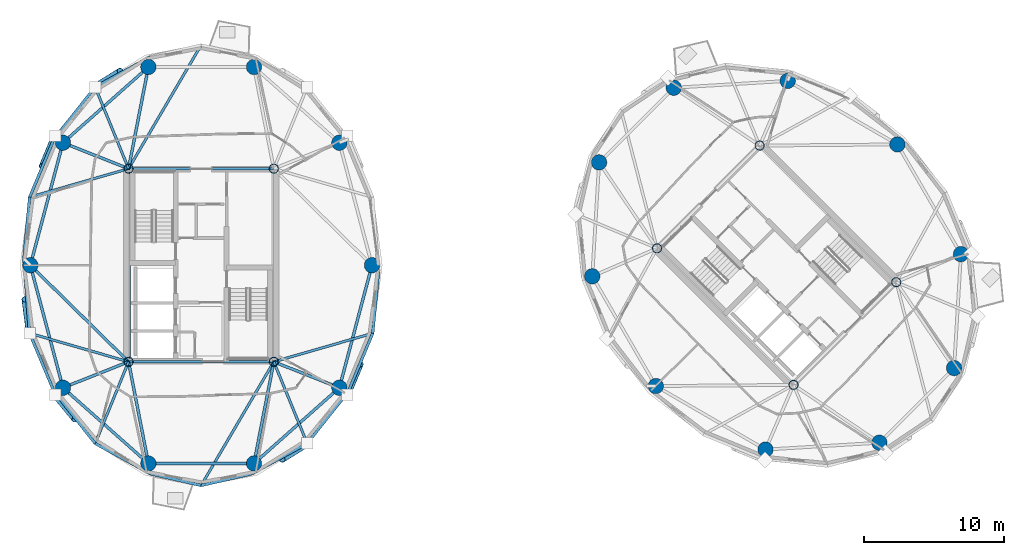
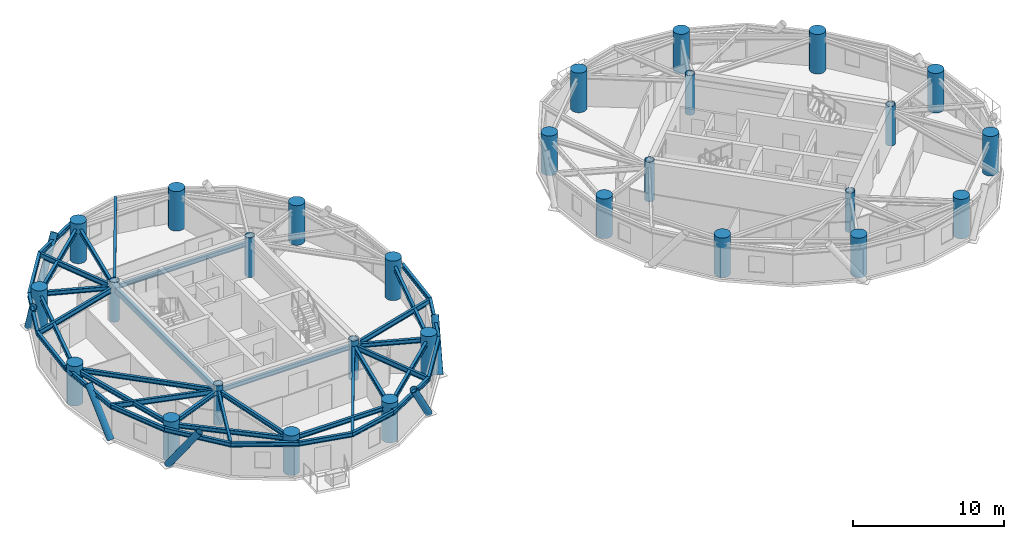
# One storey, part 1 of 15: 39 beams, 28 columns, 6 members.
"""IFC4 building model written with IfcOpenShell, lengths in metres."""

import ifcopenshell
import ifcopenshell.guid

model = None  # the IFC model being written
_history = None  # IfcOwnerHistory: only IFC2X3 demands one
_inside = {}  # id of a spatial element -> (the spatial element, [elements in it])
_under = {}  # id of a project, library or spatial element -> (it, [spatial elements below it])
_declared = {}  # id of a project -> (the project, [libraries it declares])
_typed = {}  # id of a type object -> (the type object, [elements of that type])
_made_of = {}  # id of a material, layer set ... -> (it, [elements and type objects made of it])


def new_model(schema):
    """Start an empty IFC model of exactly this schema.

    Asked for "IFC4X3", IfcOpenShell would pick the latest addendum, in which some entities
    have other attributes; the version numbers below select the first issue.
    IFC2X3 requires an IfcOwnerHistory on every rooted entity: one is made here for all.
    """
    global model, _history
    if schema == "IFC4X3":
        model = ifcopenshell.file(schema_version=(4, 3, 0, 0))
    else:
        model = ifcopenshell.file(schema=schema)
    _inside.clear()
    _under.clear()
    _declared.clear()
    _typed.clear()
    _made_of.clear()
    _history = None
    if model.schema == "IFC2X3":
        org = make("IfcOrganization", Name="unknown")
        user = make(
            "IfcPersonAndOrganization",
            ThePerson=make("IfcPerson", FamilyName="unknown"),
            TheOrganization=org,
        )
        app = make(
            "IfcApplication",
            ApplicationDeveloper=org,
            Version="unknown",
            ApplicationFullName="unknown",
            ApplicationIdentifier="unknown",
        )
        _history = make(
            "IfcOwnerHistory",
            OwningUser=user,
            OwningApplication=app,
            ChangeAction="ADDED",
            CreationDate=0,
        )
    return model


def make(cls, **values):
    """One entity of the class cls with the attributes given. An attribute that is None is left unset."""
    return model.create_entity(
        cls, **{name: value for name, value in values.items() if value is not None}
    )


def rooted(cls, **values):
    """An entity with a GlobalId (a new one), such as an element, a storey or a relation."""
    return make(cls, GlobalId=ifcopenshell.guid.new(), OwnerHistory=_history, **values)


def si_unit(unit_type, name, prefix=None):
    """IfcSIUnit, for example si_unit("LENGTHUNIT", "METRE", prefix="MILLI")."""
    return make("IfcSIUnit", UnitType=unit_type, Prefix=prefix, Name=name)


def assignment(units):
    """IfcUnitAssignment: the units of a project."""
    return None if units is None else make("IfcUnitAssignment", Units=units)


def point(xyz):
    """IfcCartesianPoint."""
    return None if xyz is None else make("IfcCartesianPoint", Coordinates=xyz)


def direction(xyz):
    """IfcDirection."""
    return None if xyz is None else make("IfcDirection", DirectionRatios=xyz)


def frame(location, z_axis=None, x_axis=None):
    """IfcAxis2Placement3D, a coordinate frame: its origin and axes. An axis left out is left unset."""
    return make(
        "IfcAxis2Placement3D",
        Location=point(location),
        Axis=direction(z_axis),
        RefDirection=direction(x_axis),
    )


def frame_2d(location, x_axis=None):
    """IfcAxis2Placement2D, a coordinate frame in the plane: its origin and x axis."""
    return make(
        "IfcAxis2Placement2D", Location=point(location), RefDirection=direction(x_axis)
    )


def origin():
    """The frame at (0, 0, 0) with its axes left unset."""
    return frame((0.0, 0.0, 0.0))


def origin_2d():
    """The frame at (0, 0) in the plane with its x axis left unset."""
    return frame_2d((0.0, 0.0))


def place(relative_to, where):
    """IfcLocalPlacement: puts the frame where relative to a parent placement (None: the world)."""
    return make(
        "IfcLocalPlacement", PlacementRelTo=relative_to, RelativePlacement=where
    )


def context(
    kind, dimensions, precision=None, world=None, true_north=None, identifier=None
):
    """IfcGeometricRepresentationContext, for example the 3D "Model" context."""
    return make(
        "IfcGeometricRepresentationContext",
        ContextIdentifier=identifier,
        ContextType=kind,
        CoordinateSpaceDimension=dimensions,
        Precision=precision,
        WorldCoordinateSystem=world,
        TrueNorth=true_north,
    )


def subcontext(parent, identifier, kind, view, scale=None):
    """IfcGeometricRepresentationSubContext, for example "Body" below "Model"."""
    return make(
        "IfcGeometricRepresentationSubContext",
        ContextIdentifier=identifier,
        ContextType=kind,
        ParentContext=parent,
        TargetScale=scale,
        TargetView=view,
    )


def project(units=None, contexts=None):
    """IfcProject with its units and contexts."""
    return rooted(
        "IfcProject",
        Name="project",
        RepresentationContexts=contexts,
        UnitsInContext=assignment(units),
    )


def spatial(cls, under=None, at=None, **own):
    """A site, building, storey or space (cls), placed at a placement, below another one or the project."""
    s = rooted(cls, ObjectPlacement=at, **own)
    if under is not None:
        _under.setdefault(under.id(), (under, []))[1].append(s)
    return s


def profile(cls, at=None, kind="AREA", **sizes):
    """A parametric profile (cls). Its sizes go by their IFC names, for example OverallWidth=200.0."""
    return make(cls, ProfileType=kind, Position=at, **sizes)


def hollow_rectangle(**sizes):
    """IfcRectangleHollowProfileDef."""
    return profile("IfcRectangleHollowProfileDef", **sizes)


def circle(**sizes):
    """IfcCircleProfileDef."""
    return profile("IfcCircleProfileDef", **sizes)


def hollow_circle(**sizes):
    """IfcCircleHollowProfileDef."""
    return profile("IfcCircleHollowProfileDef", **sizes)


def i_section(**sizes):
    """IfcIShapeProfileDef."""
    return profile("IfcIShapeProfileDef", **sizes)


def extrude(swept, where, along, depth):
    """IfcExtrudedAreaSolid: the profile swept, set in the frame where, extruded along a direction by depth."""
    return make(
        "IfcExtrudedAreaSolid",
        SweptArea=swept,
        Position=where,
        ExtrudedDirection=direction(along),
        Depth=depth,
    )


def shape(context_of_items, identifier, shape_type, items):
    """IfcShapeRepresentation: the items that make up one representation, for example the "Body"."""
    return make(
        "IfcShapeRepresentation",
        ContextOfItems=context_of_items,
        RepresentationIdentifier=identifier,
        RepresentationType=shape_type,
        Items=items,
    )


def material(Name=None, Category=None):
    """IfcMaterial."""
    return make("IfcMaterial", Name=Name, Category=Category)


def material_profile(
    of_material, cross_section, Name=None, Category=None, Priority=None
):
    """IfcMaterialProfile: a cross section and its material."""
    return make(
        "IfcMaterialProfile",
        Name=Name,
        Material=of_material,
        Profile=cross_section,
        Priority=Priority,
        Category=Category,
    )


def profile_set(profiles, Name=None, composite=None):
    """IfcMaterialProfileSet."""
    return make(
        "IfcMaterialProfileSet",
        Name=Name,
        MaterialProfiles=profiles,
        CompositeProfile=composite,
    )


def made_of(thing, what):
    """Note that an element or type object is made of a material, layer set ...; save() writes the relation."""
    if what is not None:
        _made_of.setdefault(what.id(), (what, []))[1].append(thing)
    return thing


def type_object(cls, material=None, **own):
    """A type object (cls), such as IfcWallType, which elements share."""
    return made_of(rooted(cls, **own), material)


def element(
    cls,
    number,
    at=None,
    inside=None,
    cuts=None,
    type_object=None,
    material=None,
    context=None,
    identifier="Body",
    shape_type=None,
    held_by="IfcProductDefinitionShape",
    body=None,
    shapes=None,
    **own,
):
    """One element of the class cls, such as IfcWall. Its Tag is "e" and its number.

    at: its placement. inside: the storey or other place that contains it. cuts: it is an
    opening in that element (IfcRelVoidsElement). A single representation is given by context,
    identifier, shape_type and body (its items); several are given by shapes. held_by: the class
    of the entity that holds the representations. save() writes the other relations.
    """
    e = rooted(cls, Tag="e%d" % number, ObjectPlacement=at, **own)
    if body is not None:
        shapes = [shape(context, identifier, shape_type, body)]
    if shapes is not None:
        e.Representation = make(held_by, Representations=shapes)
    if inside is not None:
        _inside.setdefault(inside.id(), (inside, []))[1].append(e)
    if cuts is not None:
        rooted(
            "IfcRelVoidsElement", RelatingBuildingElement=cuts, RelatedOpeningElement=e
        )
    if type_object is not None:
        _typed.setdefault(type_object.id(), (type_object, []))[1].append(e)
    return made_of(e, material)


def aggregate(whole, parts):
    """IfcRelAggregates: a whole, such as a stair, and the parts it consists of."""
    return rooted("IfcRelAggregates", RelatingObject=whole, RelatedObjects=parts)


def save(model, path):
    """Write the relations noted so far, then the file.

    IfcRelAggregates (storeys below a building ...), IfcRelContainedInSpatialStructure (elements
    in a storey), IfcRelDefinesByType, IfcRelAssociatesMaterial and IfcRelDeclares: one each for
    every whole, place, type object, material and project.
    """
    for whole, parts in _under.values():
        aggregate(whole, parts)
    for where, things in _inside.values():
        rooted(
            "IfcRelContainedInSpatialStructure",
            RelatedElements=things,
            RelatingStructure=where,
        )
    for kind, things in _typed.values():
        rooted("IfcRelDefinesByType", RelatedObjects=things, RelatingType=kind)
    for what, things in _made_of.values():
        rooted("IfcRelAssociatesMaterial", RelatedObjects=things, RelatingMaterial=what)
    for by, libraries in _declared.values():
        rooted("IfcRelDeclares", RelatingContext=by, RelatedDefinitions=libraries)
    model.write(path)


model = new_model("IFC4")

# Units and contexts
model_context = context("Model", 3, precision=1e-05, world=origin(), true_north=direction((0.0, 1.0)))
body_context = subcontext(model_context, "Body", "Model", "MODEL_VIEW")
ifc_project = project(units=[si_unit("LENGTHUNIT", "METRE"), si_unit("AREAUNIT", "SQUARE_METRE"), si_unit("VOLUMEUNIT", "CUBIC_METRE"), si_unit("PLANEANGLEUNIT", "RADIAN"), si_unit("MASSUNIT", "GRAM", prefix="KILO")], contexts=[model_context])

# Site, building, storey
site_placement = place(None, origin())
site = spatial("IfcSite", under=ifc_project, at=site_placement, CompositionType="ELEMENT")
building_placement = place(site_placement, origin())
building = spatial("IfcBuilding", under=site, at=building_placement, Name="Cununo Teusaquillo Station Towers", CompositionType="ELEMENT")
storey_placement = place(building_placement, frame((0.0, 0.0, 232.449951171875)))
storey = spatial("IfcBuildingStorey", under=building, at=storey_placement, Name="L74", CompositionType="ELEMENT", Elevation=232.449951171875)

# Columns
ifc_material_1 = material(Name="Steel EN 10025-2 S355J2", Category="steel")
ifc_material_profile_1 = material_profile(ifc_material_1, hollow_circle(Radius=0.330078125, WallThickness=0.02490234375, at=origin_2d()), Name="CHS 660x25")
ifc_profile_set_1 = profile_set([ifc_material_profile_1], Name="Steel EN 10025-2 S355J2")
column_type_1 = type_object("IfcColumnType", Name="COL-CORE-Z3", PredefinedType="COLUMN", material=ifc_profile_set_1)
for number, where, z_axis, x_axis, name in (
    (1, (11.324951171875, 17.6201171875, 0.0), (0.0, 0.0, 1.0), (1.0, 0.0, 0.0), "L74 Tower A Core Column 1"),
    (2, (11.324951171875, 31.3798828125, 0.0), (0.0, 0.0, 1.0), (1.0, 0.0, 0.0), "L74 Tower A Core Column 2"),
    (3, (21.675048828125, 17.6201171875, 0.0), (0.0, 0.0, 1.0), (1.0, 0.0, 0.0), "L74 Tower A Core Column 3"),
    (4, (21.675048828125, 31.3798828125, 0.0), (0.0, 0.0, 1.0), (1.0, 0.0, 0.0), "L74 Tower A Core Column 4"),
    (5, (58.70556640625, 15.975830078125, 0.0), (0.0, 0.0, 1.0), (0.707106781187, 0.707106781187, 0.0), "L74 Tower B Core Column 1"),
    (6, (48.975830078125, 25.70556640625, 0.0), (0.0, 0.0, 1.0), (0.707106781187, 0.707106781187, 0.0), "L74 Tower B Core Column 2"),
    (7, (66.024169921875, 23.29443359375, 0.0), (0.0, 0.0, 1.0), (0.707106781187, 0.707106781187, 0.0), "L74 Tower B Core Column 3"),
    (8, (56.29443359375, 33.024169921875, 0.0), (0.0, 0.0, 1.0), (0.707106781187, 0.707106781187, 0.0), "L74 Tower B Core Column 4"),
):
    element("IfcColumn", number, at=place(storey_placement, frame(where, z_axis=z_axis, x_axis=x_axis)), inside=storey, type_object=column_type_1, Name=name, PredefinedType="COLUMN", context=body_context, shape_type="SweptSolid", body=[
        extrude(hollow_circle(Radius=0.330078125, WallThickness=0.02490234375, at=origin_2d()), origin(), (0.0, 0.0, 1.0), 3.199951171875),
    ])
ifc_material_2 = material(Name="Concrete C50/60", Category="concrete")
ifc_material_profile_2 = material_profile(ifc_material_2, circle(Radius=0.550048828125, at=origin_2d()), Name="RC-CIRC-1100")
ifc_profile_set_2 = profile_set([ifc_material_profile_2], Name="Concrete C50/60")
column_type_2 = type_object("IfcColumnType", Name="COL-MEGA-Z4", PredefinedType="USERDEFINED", material=ifc_profile_set_2)
for number, where, z_axis, x_axis, name in (
    (9, (28.672119140625, 24.5, 0.0), (0.0, 0.0, 1.0), (1.0, 0.0, 0.0), "L74 Tower A Perimeter Column V00"),
    (10, (26.347412109375, 33.228515625, 0.0), (0.0, 0.0, 1.0), (1.0, 0.0, 0.0), "L74 Tower A Perimeter Column V02"),
    (11, (20.261474609375, 38.623291015625, 0.0), (0.0, 0.0, 1.0), (1.0, 0.0, 0.0), "L74 Tower A Perimeter Column V04"),
    (12, (12.738525390625, 38.623291015625, 0.0), (0.0, 0.0, 1.0), (1.0, 0.0, 0.0), "L74 Tower A Perimeter Column V06"),
    (13, (6.652587890625, 33.228515625, 0.0), (0.0, 0.0, 1.0), (1.0, 0.0, 0.0), "L74 Tower A Perimeter Column V08"),
    (14, (4.327880859375, 24.5, 0.0), (0.0, 0.0, 1.0), (1.0, 0.0, 0.0), "L74 Tower A Perimeter Column V10"),
    (15, (6.652587890625, 15.771484375, 0.0), (0.0, 0.0, 1.0), (1.0, 0.0, 0.0), "L74 Tower A Perimeter Column V12"),
    (16, (12.738525390625, 10.376708984375, 0.0), (0.0, 0.0, 1.0), (1.0, 0.0, 0.0), "L74 Tower A Perimeter Column V14"),
    (17, (20.261474609375, 10.376708984375, 0.0), (0.0, 0.0, 1.0), (1.0, 0.0, 0.0), "L74 Tower A Perimeter Column V16"),
    (18, (26.347412109375, 15.771484375, 0.0), (0.0, 0.0, 1.0), (1.0, 0.0, 0.0), "L74 Tower A Perimeter Column V18"),
    (19, (66.10693359375, 33.10693359375, 0.0), (0.0, 0.0, 1.0), (1.0, 0.0, 0.0), "L74 Tower B Perimeter Column V00"),
    (20, (58.291015625, 37.63525390625, 0.0), (0.0, 0.0, 1.0), (1.0, 0.0, 0.0), "L74 Tower B Perimeter Column V02"),
    (21, (50.173095703125, 37.146240234375, 0.0), (0.0, 0.0, 1.0), (1.0, 0.0, 0.0), "L74 Tower B Perimeter Column V04"),
    (22, (44.853759765625, 31.826904296875, 0.0), (0.0, 0.0, 1.0), (1.0, 0.0, 0.0), "L74 Tower B Perimeter Column V06"),
    (23, (44.36474609375, 23.708984375, 0.0), (0.0, 0.0, 1.0), (1.0, 0.0, 0.0), "L74 Tower B Perimeter Column V08"),
    (24, (48.89306640625, 15.89306640625, 0.0), (0.0, 0.0, 1.0), (1.0, 0.0, 0.0), "L74 Tower B Perimeter Column V10"),
    (25, (56.708984375, 11.36474609375, 0.0), (0.0, 0.0, 1.0), (1.0, 0.0, 0.0), "L74 Tower B Perimeter Column V12"),
    (26, (64.826904296875, 11.853759765625, 0.0), (0.0, 0.0, 1.0), (1.0, 0.0, 0.0), "L74 Tower B Perimeter Column V14"),
    (27, (70.146240234375, 17.173095703125, 0.0), (0.0, 0.0, 1.0), (1.0, 0.0, 0.0), "L74 Tower B Perimeter Column V16"),
    (28, (70.63525390625, 25.291015625, 0.0), (0.0, 0.0, 1.0), (1.0, 0.0, 0.0), "L74 Tower B Perimeter Column V18"),
):
    element("IfcColumn", number, at=place(storey_placement, frame(where, z_axis=z_axis, x_axis=x_axis)), inside=storey, type_object=column_type_2, Name=name, ObjectType="MEGA COLUMN", PredefinedType="USERDEFINED", context=body_context, shape_type="SweptSolid", body=[
        extrude(circle(Radius=0.550048828125, at=origin_2d()), origin(), (0.0, 0.0, 1.0), 3.199951171875),
    ])

# Beams
ifc_material_3 = material(Name="Steel EN 10025-2 S355J2", Category="steel")
ifc_material_profile_3 = material_profile(ifc_material_3, hollow_rectangle(XDim=0.25, YDim=0.449951171875, WallThickness=0.01611328125, at=origin_2d()), Name="RHS 450x250x16")
ifc_profile_set_3 = profile_set([ifc_material_profile_3], Name="Steel EN 10025-2 S355J2")
beam_type_1 = type_object("IfcBeamType", Name="BM-COUP-1", PredefinedType="USERDEFINED", material=ifc_profile_set_3)
beam_1_placement = place(storey_placement, frame((11.324951171875, 17.6201171875, 2.554931640625), z_axis=(0.0, 1.0, 0.0), x_axis=(-1.0, 0.0, 0.0)))
element("IfcBeam", 29, at=beam_1_placement, inside=storey, type_object=beam_type_1, Name="L74 Tower A Core Beam 1", ObjectType="COUPLING BEAM", PredefinedType="USERDEFINED", context=body_context, shape_type="SweptSolid", body=[
    extrude(hollow_rectangle(XDim=0.25, YDim=0.449951171875, WallThickness=0.01611328125, at=origin_2d()), origin(), (0.0, 0.0, 1.0), 13.759765625),
])
ifc_material_4 = material(Name="Steel ASTM A572 Grade 50", Category="steel")
ifc_material_profile_4 = material_profile(ifc_material_4, i_section(OverallWidth=0.180908203125, OverallDepth=0.4169921875, WebThickness=0.010986328125, FlangeThickness=0.018310546875, FilletRadius=0.012939453125, at=origin_2d()), Name="W16X57")
ifc_profile_set_4 = profile_set([ifc_material_profile_4], Name="Steel ASTM A572 Grade 50")
beam_type_2 = type_object("IfcBeamType", Name="BM-JOIST-1", PredefinedType="JOIST", material=ifc_profile_set_4)
beam_2_placement = place(storey_placement, frame((11.324951171875, 31.3798828125, 2.571533203125), z_axis=(0.506486432091, 0.862247930765, 0.0), x_axis=(-0.862247930765, 0.506486432091, 0.0)))
element("IfcBeam", 30, at=beam_2_placement, inside=storey, type_object=beam_type_2, Name="L74 Tower A Radial Spandrel Joist V05", PredefinedType="JOIST", context=body_context, shape_type="SweptSolid", body=[
    extrude(i_section(OverallWidth=0.180908203125, OverallDepth=0.4169921875, WebThickness=0.010986328125, FlangeThickness=0.018310546875, FilletRadius=0.012939453125, at=origin_2d()), origin(), (0.0, 0.0, 1.0), 10.217529296875),
])
beam_3_placement = place(storey_placement, frame((11.324951171875, 31.3798828125, 2.571533203125), z_axis=(-0.378576847217, 0.925569862707, 0.0), x_axis=(-0.925569862707, -0.378576847217, 0.0)))
element("IfcBeam", 31, at=beam_3_placement, inside=storey, type_object=beam_type_2, Name="L74 Tower A Radial Spandrel Joist V07", PredefinedType="JOIST", context=body_context, shape_type="SweptSolid", body=[
    extrude(i_section(OverallWidth=0.180908203125, OverallDepth=0.4169921875, WebThickness=0.010986328125, FlangeThickness=0.018310546875, FilletRadius=0.012939453125, at=origin_2d()), origin(), (0.0, 0.0, 1.0), 6.28125),
])
for number, where, z_axis, x_axis, name in (
    (32, (11.324951171875, 31.3798828125, 2.571533203125), (-0.960861603375, -0.277028841748, 0.0), (0.277028841748, -0.960861603375, 0.0), "L74 Tower A Radial Spandrel Joist V09"),
    (33, (11.324951171875, 17.6201171875, 2.571533203125), (-0.960861603375, 0.277028841748, 0.0), (-0.277028841748, -0.960861603375, 0.0), "L74 Tower A Radial Spandrel Joist V11"),
):
    element("IfcBeam", number, at=place(storey_placement, frame(where, z_axis=z_axis, x_axis=x_axis)), inside=storey, type_object=beam_type_2, Name=name, PredefinedType="JOIST", context=body_context, shape_type="SweptSolid", body=[
        extrude(i_section(OverallWidth=0.180908203125, OverallDepth=0.4169921875, WebThickness=0.010986328125, FlangeThickness=0.018310546875, FilletRadius=0.012939453125, at=origin_2d()), origin(), (0.0, 0.0, 1.0), 7.333251953125),
    ])
beam_4_placement = place(storey_placement, frame((11.324951171875, 17.6201171875, 2.571533203125), z_axis=(-0.378576847217, -0.925569862707, 0.0), x_axis=(0.925569862707, -0.378576847217, 0.0)))
element("IfcBeam", 34, at=beam_4_placement, inside=storey, type_object=beam_type_2, Name="L74 Tower A Radial Spandrel Joist V13", PredefinedType="JOIST", context=body_context, shape_type="SweptSolid", body=[
    extrude(i_section(OverallWidth=0.180908203125, OverallDepth=0.4169921875, WebThickness=0.010986328125, FlangeThickness=0.018310546875, FilletRadius=0.012939453125, at=origin_2d()), origin(), (0.0, 0.0, 1.0), 6.28125),
])
beam_5_placement = place(storey_placement, frame((21.675048828125, 17.6201171875, 2.571533203125), z_axis=(-0.506486432091, -0.862247930765, 0.0), x_axis=(0.862247930765, -0.506486432091, 0.0)))
element("IfcBeam", 35, at=beam_5_placement, inside=storey, type_object=beam_type_2, Name="L74 Tower A Radial Spandrel Joist V15", PredefinedType="JOIST", context=body_context, shape_type="SweptSolid", body=[
    extrude(i_section(OverallWidth=0.180908203125, OverallDepth=0.4169921875, WebThickness=0.010986328125, FlangeThickness=0.018310546875, FilletRadius=0.012939453125, at=origin_2d()), origin(), (0.0, 0.0, 1.0), 10.217529296875),
])
beam_6_placement = place(storey_placement, frame((21.675048828125, 17.6201171875, 2.571533203125), z_axis=(0.378576847217, -0.925569862707, 0.0), x_axis=(0.925569862707, 0.378576847217, 0.0)))
element("IfcBeam", 36, at=beam_6_placement, inside=storey, type_object=beam_type_2, Name="L74 Tower A Radial Spandrel Joist V17", PredefinedType="JOIST", context=body_context, shape_type="SweptSolid", body=[
    extrude(i_section(OverallWidth=0.180908203125, OverallDepth=0.4169921875, WebThickness=0.010986328125, FlangeThickness=0.018310546875, FilletRadius=0.012939453125, at=origin_2d()), origin(), (0.0, 0.0, 1.0), 6.28125),
])
beam_7_placement = place(storey_placement, frame((21.675048828125, 17.6201171875, 2.571533203125), z_axis=(0.960861603375, 0.277028841748, 0.0), x_axis=(-0.277028841748, 0.960861603375, 0.0)))
element("IfcBeam", 37, at=beam_7_placement, inside=storey, type_object=beam_type_2, Name="L74 Tower A Radial Spandrel Joist V19", PredefinedType="JOIST", context=body_context, shape_type="SweptSolid", body=[
    extrude(i_section(OverallWidth=0.180908203125, OverallDepth=0.4169921875, WebThickness=0.010986328125, FlangeThickness=0.018310546875, FilletRadius=0.012939453125, at=origin_2d()), origin(), (0.0, 0.0, 1.0), 7.333251953125),
])
ifc_material_5 = material(Name="Steel ASTM A572 Grade 50", Category="steel")
ifc_material_profile_5 = material_profile(ifc_material_5, i_section(OverallWidth=0.2041015625, OverallDepth=0.35009765625, WebThickness=0.008544921875, FlangeThickness=0.01513671875, FilletRadius=0.011962890625, at=origin_2d()), Name="W14X48")
ifc_profile_set_5 = profile_set([ifc_material_profile_5], Name="Steel ASTM A572 Grade 50")
beam_type_3 = type_object("IfcBeamType", Name="BM-LINTEL-1", PredefinedType="LINTEL", material=ifc_profile_set_5)
for number, where, z_axis, x_axis, name in (
    (38, (11.324951171875, 17.6201171875, 2.60498046875), (1.0, 0.0, 0.0), (0.0, 1.0, 0.0), "L74 Tower A Core Beam 3"),
    (39, (11.324951171875, 31.3798828125, 2.60498046875), (1.0, 0.0, 0.0), (0.0, 1.0, 0.0), "L74 Tower A Core Beam 4"),
):
    element("IfcBeam", number, at=place(storey_placement, frame(where, z_axis=z_axis, x_axis=x_axis)), inside=storey, type_object=beam_type_3, Name=name, PredefinedType="LINTEL", context=body_context, shape_type="SweptSolid", body=[
        extrude(i_section(OverallWidth=0.2041015625, OverallDepth=0.35009765625, WebThickness=0.008544921875, FlangeThickness=0.01513671875, FilletRadius=0.011962890625, at=origin_2d()), origin(), (0.0, 0.0, 1.0), 10.35009765625),
    ])
ifc_material_6 = material(Name="Steel ASTM A572 Grade 50", Category="steel")
ifc_material_profile_6 = material_profile(ifc_material_6, i_section(OverallWidth=0.2041015625, OverallDepth=0.35009765625, WebThickness=0.008544921875, FlangeThickness=0.01513671875, FilletRadius=0.011962890625, at=origin_2d()), Name="W14X48")
ifc_profile_set_6 = profile_set([ifc_material_profile_6], Name="Steel ASTM A572 Grade 50")
beam_type_4 = type_object("IfcBeamType", Name="BM-RAD-G3", PredefinedType="BEAM", material=ifc_profile_set_6)
beam_8_placement = place(storey_placement, frame((11.324951171875, 31.3798828125, 2.60498046875), z_axis=(0.191548487699, 0.981483151593, 0.0), x_axis=(-0.981483151593, 0.191548487699, 0.0)))
element("IfcBeam", 40, at=beam_8_placement, inside=storey, type_object=beam_type_4, Name="L74 Tower A Continuous Overhanging Radial Girder 04", PredefinedType="BEAM", context=body_context, shape_type="SweptSolid", body=[
    extrude(i_section(OverallWidth=0.2041015625, OverallDepth=0.35009765625, WebThickness=0.008544921875, FlangeThickness=0.01513671875, FilletRadius=0.011962890625, at=origin_2d()), origin(), (0.0, 0.0, 1.0), 8.1240234375),
])
beam_9_placement = place(storey_placement, frame((11.324951171875, 31.3798828125, 2.60498046875), z_axis=(-0.929851670487, 0.36793460138, 0.0), x_axis=(-0.36793460138, -0.929851670487, 0.0)))
element("IfcBeam", 41, at=beam_9_placement, inside=storey, type_object=beam_type_4, Name="L74 Tower A Continuous Overhanging Radial Girder 05", PredefinedType="BEAM", context=body_context, shape_type="SweptSolid", body=[
    extrude(i_section(OverallWidth=0.2041015625, OverallDepth=0.35009765625, WebThickness=0.008544921875, FlangeThickness=0.01513671875, FilletRadius=0.011962890625, at=origin_2d()), origin(), (0.0, 0.0, 1.0), 5.71630859375),
])
beam_10_placement = place(storey_placement, frame((11.324951171875, 17.6201171875, 2.60498046875), z_axis=(-0.713052701438, 0.701110437073, 0.0), x_axis=(-0.701110437073, -0.713052701438, 0.0)))
element("IfcBeam", 42, at=beam_10_placement, inside=storey, type_object=beam_type_4, Name="L74 Tower A Radial Girder 06A", PredefinedType="BEAM", context=body_context, shape_type="SweptSolid", body=[
    extrude(i_section(OverallWidth=0.2041015625, OverallDepth=0.35009765625, WebThickness=0.008544921875, FlangeThickness=0.01513671875, FilletRadius=0.011962890625, at=origin_2d()), origin(), (0.0, 0.0, 1.0), 9.812744140625),
])
beam_11_placement = place(storey_placement, frame((11.324951171875, 17.6201171875, 2.60498046875), z_axis=(-0.929851670487, -0.36793460138, 0.0), x_axis=(0.36793460138, -0.929851670487, 0.0)))
element("IfcBeam", 43, at=beam_11_placement, inside=storey, type_object=beam_type_4, Name="L74 Tower A Continuous Overhanging Radial Girder 07", PredefinedType="BEAM", context=body_context, shape_type="SweptSolid", body=[
    extrude(i_section(OverallWidth=0.2041015625, OverallDepth=0.35009765625, WebThickness=0.008544921875, FlangeThickness=0.01513671875, FilletRadius=0.011962890625, at=origin_2d()), origin(), (0.0, 0.0, 1.0), 5.71630859375),
])
for number, where, z_axis, x_axis, name in (
    (44, (11.324951171875, 17.6201171875, 2.60498046875), (0.191548487699, -0.981483151593, 0.0), (0.981483151593, 0.191548487699, 0.0), "L74 Tower A Continuous Overhanging Radial Girder 08"),
    (45, (21.675048828125, 17.6201171875, 2.60498046875), (-0.191548487699, -0.981483151593, 0.0), (0.981483151593, -0.191548487699, 0.0), "L74 Tower A Continuous Overhanging Radial Girder 09"),
):
    element("IfcBeam", number, at=place(storey_placement, frame(where, z_axis=z_axis, x_axis=x_axis)), inside=storey, type_object=beam_type_4, Name=name, PredefinedType="BEAM", context=body_context, shape_type="SweptSolid", body=[
        extrude(i_section(OverallWidth=0.2041015625, OverallDepth=0.35009765625, WebThickness=0.008544921875, FlangeThickness=0.01513671875, FilletRadius=0.011962890625, at=origin_2d()), origin(), (0.0, 0.0, 1.0), 8.1240234375),
    ])
beam_12_placement = place(storey_placement, frame((21.675048828125, 17.6201171875, 2.60498046875), z_axis=(0.929851670487, -0.36793460138, 0.0), x_axis=(0.36793460138, 0.929851670487, 0.0)))
element("IfcBeam", 46, at=beam_12_placement, inside=storey, type_object=beam_type_4, Name="L74 Tower A Continuous Overhanging Radial Girder 10", PredefinedType="BEAM", context=body_context, shape_type="SweptSolid", body=[
    extrude(i_section(OverallWidth=0.2041015625, OverallDepth=0.35009765625, WebThickness=0.008544921875, FlangeThickness=0.01513671875, FilletRadius=0.011962890625, at=origin_2d()), origin(), (0.0, 0.0, 1.0), 5.71630859375),
])
ifc_material_7 = material(Name="Steel ASTM A572 Grade 50", Category="steel")
ifc_material_profile_7 = material_profile(ifc_material_7, i_section(OverallWidth=0.2041015625, OverallDepth=0.35009765625, WebThickness=0.008544921875, FlangeThickness=0.01513671875, FilletRadius=0.011962890625, at=origin_2d()), Name="W14X48")
ifc_profile_set_7 = profile_set([ifc_material_profile_7], Name="Steel ASTM A572 Grade 50")
beam_type_5 = type_object("IfcBeamType", Name="BM-RING-Z4", PredefinedType="SPANDREL", material=ifc_profile_set_7)
beam_13_placement = place(storey_placement, frame((12.738525390625, 38.623291015625, 2.60498046875), z_axis=(-0.74832120039, -0.66333655187, 0.0), x_axis=(0.66333655187, -0.74832120039, 0.0)))
element("IfcBeam", 47, at=beam_13_placement, inside=storey, type_object=beam_type_5, Name="L74 Tower A Structural Column Ring Girder 04", PredefinedType="SPANDREL", context=body_context, shape_type="SweptSolid", body=[
    extrude(i_section(OverallWidth=0.2041015625, OverallDepth=0.35009765625, WebThickness=0.008544921875, FlangeThickness=0.01513671875, FilletRadius=0.011962890625, at=origin_2d()), origin(), (0.0, 0.0, 1.0), 8.1328125),
])
for number, where, z_axis, x_axis, name in (
    (48, (6.652587890625, 33.228515625, 2.60498046875), (-0.257363196347, -0.966314744359, 0.0), (0.966314744359, -0.257363196347, 0.0), "L74 Tower A Structural Column Ring Girder 05"),
    (49, (4.327880859375, 24.5, 2.60498046875), (0.257363196347, -0.966314744359, 0.0), (0.966314744359, 0.257363196347, 0.0), "L74 Tower A Structural Column Ring Girder 06"),
):
    element("IfcBeam", number, at=place(storey_placement, frame(where, z_axis=z_axis, x_axis=x_axis)), inside=storey, type_object=beam_type_5, Name=name, PredefinedType="SPANDREL", context=body_context, shape_type="SweptSolid", body=[
        extrude(i_section(OverallWidth=0.2041015625, OverallDepth=0.35009765625, WebThickness=0.008544921875, FlangeThickness=0.01513671875, FilletRadius=0.011962890625, at=origin_2d()), origin(), (0.0, 0.0, 1.0), 9.03271484375),
    ])
beam_14_placement = place(storey_placement, frame((6.652587890625, 15.771484375, 2.60498046875), z_axis=(0.74832120039, -0.66333655187, 0.0), x_axis=(0.66333655187, 0.74832120039, 0.0)))
element("IfcBeam", 50, at=beam_14_placement, inside=storey, type_object=beam_type_5, Name="L74 Tower A Structural Column Ring Girder 07", PredefinedType="SPANDREL", context=body_context, shape_type="SweptSolid", body=[
    extrude(i_section(OverallWidth=0.2041015625, OverallDepth=0.35009765625, WebThickness=0.008544921875, FlangeThickness=0.01513671875, FilletRadius=0.011962890625, at=origin_2d()), origin(), (0.0, 0.0, 1.0), 8.1328125),
])
beam_15_placement = place(storey_placement, frame((12.738525390625, 10.376708984375, 2.60498046875), z_axis=(1.0, 0.0, 0.0), x_axis=(0.0, 1.0, 0.0)))
element("IfcBeam", 51, at=beam_15_placement, inside=storey, type_object=beam_type_5, Name="L74 Tower A Structural Column Ring Girder 08", PredefinedType="SPANDREL", context=body_context, shape_type="SweptSolid", body=[
    extrude(i_section(OverallWidth=0.2041015625, OverallDepth=0.35009765625, WebThickness=0.008544921875, FlangeThickness=0.01513671875, FilletRadius=0.011962890625, at=origin_2d()), origin(), (0.0, 0.0, 1.0), 7.52294921875),
])
beam_16_placement = place(storey_placement, frame((20.261474609375, 10.376708984375, 2.60498046875), z_axis=(0.74832120039, 0.66333655187, 0.0), x_axis=(-0.66333655187, 0.74832120039, 0.0)))
element("IfcBeam", 52, at=beam_16_placement, inside=storey, type_object=beam_type_5, Name="L74 Tower A Structural Column Ring Girder 09", PredefinedType="SPANDREL", context=body_context, shape_type="SweptSolid", body=[
    extrude(i_section(OverallWidth=0.2041015625, OverallDepth=0.35009765625, WebThickness=0.008544921875, FlangeThickness=0.01513671875, FilletRadius=0.011962890625, at=origin_2d()), origin(), (0.0, 0.0, 1.0), 8.1328125),
])
beam_17_placement = place(storey_placement, frame((26.347412109375, 15.771484375, 2.60498046875), z_axis=(0.257363196347, 0.966314744359, 0.0), x_axis=(-0.966314744359, 0.257363196347, 0.0)))
element("IfcBeam", 53, at=beam_17_placement, inside=storey, type_object=beam_type_5, Name="L74 Tower A Structural Column Ring Girder 10", PredefinedType="SPANDREL", context=body_context, shape_type="SweptSolid", body=[
    extrude(i_section(OverallWidth=0.2041015625, OverallDepth=0.35009765625, WebThickness=0.008544921875, FlangeThickness=0.01513671875, FilletRadius=0.011962890625, at=origin_2d()), origin(), (0.0, 0.0, 1.0), 9.03271484375),
])
beam_18_placement = place(storey_placement, frame((12.881103515625, 39.353515625, 2.60498046875), z_axis=(-0.876576300909, -0.481262910149, 0.0), x_axis=(0.481262910149, -0.876576300909, 0.0)))
element("IfcBeam", 54, at=beam_18_placement, inside=storey, type_object=beam_type_5, Name="L74 Tower A Spandrel Ring Beam 07", PredefinedType="SPANDREL", context=body_context, shape_type="SweptSolid", body=[
    extrude(i_section(OverallWidth=0.2041015625, OverallDepth=0.35009765625, WebThickness=0.008544921875, FlangeThickness=0.01513671875, FilletRadius=0.011962890625, at=origin_2d()), origin(), (0.0, 0.0, 1.0), 4.488037109375),
])
beam_19_placement = place(storey_placement, frame((8.947021484375, 37.193603515625, 2.60498046875), z_axis=(-0.620710872531, -0.784039547932, 0.0), x_axis=(0.784039547932, -0.620710872531, 0.0)))
element("IfcBeam", 55, at=beam_19_placement, inside=storey, type_object=beam_type_5, Name="L74 Tower A Spandrel Ring Beam 08", PredefinedType="SPANDREL", context=body_context, shape_type="SweptSolid", body=[
    extrude(i_section(OverallWidth=0.2041015625, OverallDepth=0.35009765625, WebThickness=0.008544921875, FlangeThickness=0.01513671875, FilletRadius=0.011962890625, at=origin_2d()), origin(), (0.0, 0.0, 1.0), 4.732421875),
])
beam_20_placement = place(storey_placement, frame((6.009521484375, 33.483154296875, 2.60498046875), z_axis=(-0.386115454066, -0.922450462698, 0.0), x_axis=(0.922450462698, -0.386115454066, 0.0)))
element("IfcBeam", 56, at=beam_20_placement, inside=storey, type_object=beam_type_5, Name="L74 Tower A Spandrel Ring Beam 09", PredefinedType="SPANDREL", context=body_context, shape_type="SweptSolid", body=[
    extrude(i_section(OverallWidth=0.2041015625, OverallDepth=0.35009765625, WebThickness=0.008544921875, FlangeThickness=0.01513671875, FilletRadius=0.011962890625, at=origin_2d()), origin(), (0.0, 0.0, 1.0), 4.482421875),
])
beam_21_placement = place(storey_placement, frame((4.27880859375, 29.348388671875, 2.60498046875), z_axis=(-0.093902932611, -0.995581357422, 0.0), x_axis=(0.995581357422, -0.093902932611, 0.0)))
element("IfcBeam", 57, at=beam_21_placement, inside=storey, type_object=beam_type_5, Name="L74 Tower A Spandrel Ring Beam 10", PredefinedType="SPANDREL", context=body_context, shape_type="SweptSolid", body=[
    extrude(i_section(OverallWidth=0.2041015625, OverallDepth=0.35009765625, WebThickness=0.008544921875, FlangeThickness=0.01513671875, FilletRadius=0.011962890625, at=origin_2d()), origin(), (0.0, 0.0, 1.0), 4.412109375),
])
beam_22_placement = place(storey_placement, frame((3.864501953125, 24.955810546875, 2.60498046875), z_axis=(0.077871988965, -0.996963366095, 0.0), x_axis=(0.996963366095, 0.077871988965, 0.0)))
element("IfcBeam", 58, at=beam_22_placement, inside=storey, type_object=beam_type_5, Name="L74 Tower A Spandrel Ring Beam 11", PredefinedType="SPANDREL", context=body_context, shape_type="SweptSolid", body=[
    extrude(i_section(OverallWidth=0.2041015625, OverallDepth=0.35009765625, WebThickness=0.008544921875, FlangeThickness=0.01513671875, FilletRadius=0.011962890625, at=origin_2d()), origin(), (0.0, 0.0, 1.0), 5.3203125),
])
beam_23_placement = place(storey_placement, frame((4.27880859375, 19.651611328125, 2.60498046875), z_axis=(0.386115454066, -0.922450462698, 0.0), x_axis=(0.922450462698, 0.386115454066, 0.0)))
element("IfcBeam", 59, at=beam_23_placement, inside=storey, type_object=beam_type_5, Name="L74 Tower A Spandrel Ring Beam 12", PredefinedType="SPANDREL", context=body_context, shape_type="SweptSolid", body=[
    extrude(i_section(OverallWidth=0.2041015625, OverallDepth=0.35009765625, WebThickness=0.008544921875, FlangeThickness=0.01513671875, FilletRadius=0.011962890625, at=origin_2d()), origin(), (0.0, 0.0, 1.0), 4.482421875),
])
beam_24_placement = place(storey_placement, frame((6.009521484375, 15.516845703125, 2.60498046875), z_axis=(0.620710872531, -0.784039547932, 0.0), x_axis=(0.784039547932, 0.620710872531, 0.0)))
element("IfcBeam", 60, at=beam_24_placement, inside=storey, type_object=beam_type_5, Name="L74 Tower A Spandrel Ring Beam 13", PredefinedType="SPANDREL", context=body_context, shape_type="SweptSolid", body=[
    extrude(i_section(OverallWidth=0.2041015625, OverallDepth=0.35009765625, WebThickness=0.008544921875, FlangeThickness=0.01513671875, FilletRadius=0.011962890625, at=origin_2d()), origin(), (0.0, 0.0, 1.0), 4.732421875),
])
beam_25_placement = place(storey_placement, frame((8.947021484375, 11.806396484375, 2.60498046875), z_axis=(0.876576300909, -0.481262910149, 0.0), x_axis=(0.481262910149, 0.876576300909, 0.0)))
element("IfcBeam", 61, at=beam_25_placement, inside=storey, type_object=beam_type_5, Name="L74 Tower A Spandrel Ring Beam 14", PredefinedType="SPANDREL", context=body_context, shape_type="SweptSolid", body=[
    extrude(i_section(OverallWidth=0.2041015625, OverallDepth=0.35009765625, WebThickness=0.008544921875, FlangeThickness=0.01513671875, FilletRadius=0.011962890625, at=origin_2d()), origin(), (0.0, 0.0, 1.0), 4.488037109375),
])
for number, where, z_axis, x_axis, name in (
    (62, (12.881103515625, 9.646484375, 2.60498046875), (0.97431470066, -0.225190728224, 0.0), (0.225190728224, 0.97431470066, 0.0), "L74 Tower A Spandrel Ring Beam 15"),
    (63, (16.5, 8.81005859375, 2.60498046875), (0.97431470066, 0.225190728224, 0.0), (-0.225190728224, 0.97431470066, 0.0), "L74 Tower A Spandrel Ring Beam 16"),
):
    element("IfcBeam", number, at=place(storey_placement, frame(where, z_axis=z_axis, x_axis=x_axis)), inside=storey, type_object=beam_type_5, Name=name, PredefinedType="SPANDREL", context=body_context, shape_type="SweptSolid", body=[
        extrude(i_section(OverallWidth=0.2041015625, OverallDepth=0.35009765625, WebThickness=0.008544921875, FlangeThickness=0.01513671875, FilletRadius=0.011962890625, at=origin_2d()), origin(), (0.0, 0.0, 1.0), 3.71435546875),
    ])
beam_26_placement = place(storey_placement, frame((20.118896484375, 9.646484375, 2.60498046875), z_axis=(0.876576300909, 0.481262910149, 0.0), x_axis=(-0.481262910149, 0.876576300909, 0.0)))
element("IfcBeam", 64, at=beam_26_placement, inside=storey, type_object=beam_type_5, Name="L74 Tower A Spandrel Ring Beam 17", PredefinedType="SPANDREL", context=body_context, shape_type="SweptSolid", body=[
    extrude(i_section(OverallWidth=0.2041015625, OverallDepth=0.35009765625, WebThickness=0.008544921875, FlangeThickness=0.01513671875, FilletRadius=0.011962890625, at=origin_2d()), origin(), (0.0, 0.0, 1.0), 4.488037109375),
])
beam_27_placement = place(storey_placement, frame((24.052978515625, 11.806396484375, 2.60498046875), z_axis=(0.620710872531, 0.784039547932, 0.0), x_axis=(-0.784039547932, 0.620710872531, 0.0)))
element("IfcBeam", 65, at=beam_27_placement, inside=storey, type_object=beam_type_5, Name="L74 Tower A Spandrel Ring Beam 18", PredefinedType="SPANDREL", context=body_context, shape_type="SweptSolid", body=[
    extrude(i_section(OverallWidth=0.2041015625, OverallDepth=0.35009765625, WebThickness=0.008544921875, FlangeThickness=0.01513671875, FilletRadius=0.011962890625, at=origin_2d()), origin(), (0.0, 0.0, 1.0), 4.732421875),
])
beam_28_placement = place(storey_placement, frame((26.990478515625, 15.516845703125, 2.60498046875), z_axis=(0.386115454066, 0.922450462698, 0.0), x_axis=(-0.922450462698, 0.386115454066, 0.0)))
element("IfcBeam", 66, at=beam_28_placement, inside=storey, type_object=beam_type_5, Name="L74 Tower A Spandrel Ring Beam 19", PredefinedType="SPANDREL", context=body_context, shape_type="SweptSolid", body=[
    extrude(i_section(OverallWidth=0.2041015625, OverallDepth=0.35009765625, WebThickness=0.008544921875, FlangeThickness=0.01513671875, FilletRadius=0.011962890625, at=origin_2d()), origin(), (0.0, 0.0, 1.0), 4.482421875),
])
beam_29_placement = place(storey_placement, frame((28.72119140625, 19.651611328125, 2.60498046875), z_axis=(0.093902932611, 0.995581357422, 0.0), x_axis=(-0.995581357422, 0.093902932611, 0.0)))
element("IfcBeam", 67, at=beam_29_placement, inside=storey, type_object=beam_type_5, Name="L74 Tower A Spandrel Ring Beam 20", PredefinedType="SPANDREL", context=body_context, shape_type="SweptSolid", body=[
    extrude(i_section(OverallWidth=0.2041015625, OverallDepth=0.35009765625, WebThickness=0.008544921875, FlangeThickness=0.01513671875, FilletRadius=0.011962890625, at=origin_2d()), origin(), (0.0, 0.0, 1.0), 4.412109375),
])

# Members
ifc_material_8 = material(Name="Steel EN 10025-2 S355J2", Category="steel")
ifc_material_profile_8 = material_profile(ifc_material_8, hollow_circle(Radius=0.25390625, WallThickness=0.01806640625, at=origin_2d()), Name="CHS 508x18")
ifc_profile_set_8 = profile_set([ifc_material_profile_8], Name="Steel EN 10025-2 S355J2")
member_type = type_object("IfcMemberType", Name="MBR-DIAG-Z4", PredefinedType="BRACE", material=ifc_profile_set_8)
member_1_placement = place(storey_placement, frame((8.947021484375, 37.193603515625, -0.139892578125), z_axis=(0.46730812708, 0.29072986532, 0.834924703058), x_axis=(-0.528249968439, 0.849088906325, 0.0)))
element("IfcMember", 68, at=member_1_placement, inside=storey, type_object=member_type, Name="L74 Tower A Folded-Zigzag Diagrid Tube C06", PredefinedType="BRACE", context=body_context, shape_type="SweptSolid", body=[
    extrude(hollow_circle(Radius=0.25390625, WallThickness=0.01806640625, at=origin_2d()), origin(), (0.0, 0.0, 1.0), 3.83251953125),
])
member_2_placement = place(storey_placement, frame((6.10400390625, 33.722412109375, -0.139892578125), z_axis=(-0.229186377143, -0.549237979254, 0.803623821621), x_axis=(0.922875628603, -0.385098135713, 0.0)))
element("IfcMember", 69, at=member_2_placement, inside=storey, type_object=member_type, Name="L74 Tower A Folded-Zigzag Diagrid Tube C08", PredefinedType="BRACE", context=body_context, shape_type="SweptSolid", body=[
    extrude(hollow_circle(Radius=0.25390625, WallThickness=0.01806640625, at=origin_2d()), origin(), (0.0, 0.0, 1.0), 3.98193359375),
])
member_3_placement = place(storey_placement, frame((4.27880859375, 19.651611328125, -0.139892578125), z_axis=(-0.078030837374, 0.601995481187, 0.794677688783), x_axis=(-0.991703685637, -0.128544933368, 0.0)))
element("IfcMember", 70, at=member_3_placement, inside=storey, type_object=member_type, Name="L74 Tower A Folded-Zigzag Diagrid Tube C10", PredefinedType="BRACE", context=body_context, shape_type="SweptSolid", body=[
    extrude(hollow_circle(Radius=0.25390625, WallThickness=0.01806640625, at=origin_2d()), origin(), (0.0, 0.0, 1.0), 4.026611328125),
])
member_4_placement = place(storey_placement, frame((6.10400390625, 15.277587890625, -0.139892578125), z_axis=(0.363713769881, -0.444115628664, 0.818824524532), x_axis=(0.773661438449, 0.633599225581, 0.0)))
element("IfcMember", 71, at=member_4_placement, inside=storey, type_object=member_type, Name="L74 Tower A Folded-Zigzag Diagrid Tube C12", PredefinedType="BRACE", context=body_context, shape_type="SweptSolid", body=[
    extrude(hollow_circle(Radius=0.25390625, WallThickness=0.01806640625, at=origin_2d()), origin(), (0.0, 0.0, 1.0), 3.907958984375),
])
member_5_placement = place(storey_placement, frame((24.052978515625, 11.806396484375, -0.139892578125), z_axis=(-0.46730812708, -0.29072986532, 0.834924703058), x_axis=(0.528249968439, -0.849088906325, 0.0)))
element("IfcMember", 72, at=member_5_placement, inside=storey, type_object=member_type, Name="L74 Tower A Folded-Zigzag Diagrid Tube C16", PredefinedType="BRACE", context=body_context, shape_type="SweptSolid", body=[
    extrude(hollow_circle(Radius=0.25390625, WallThickness=0.01806640625, at=origin_2d()), origin(), (0.0, 0.0, 1.0), 3.83251953125),
])
member_6_placement = place(storey_placement, frame((26.89599609375, 15.277587890625, -0.139892578125), z_axis=(0.229186377143, 0.549237979254, 0.803623821621), x_axis=(-0.922875628603, 0.385098135713, 0.0)))
element("IfcMember", 73, at=member_6_placement, inside=storey, type_object=member_type, Name="L74 Tower A Folded-Zigzag Diagrid Tube C18", PredefinedType="BRACE", context=body_context, shape_type="SweptSolid", body=[
    extrude(hollow_circle(Radius=0.25390625, WallThickness=0.01806640625, at=origin_2d()), origin(), (0.0, 0.0, 1.0), 3.98193359375),
])

save(model, "model.ifc")
